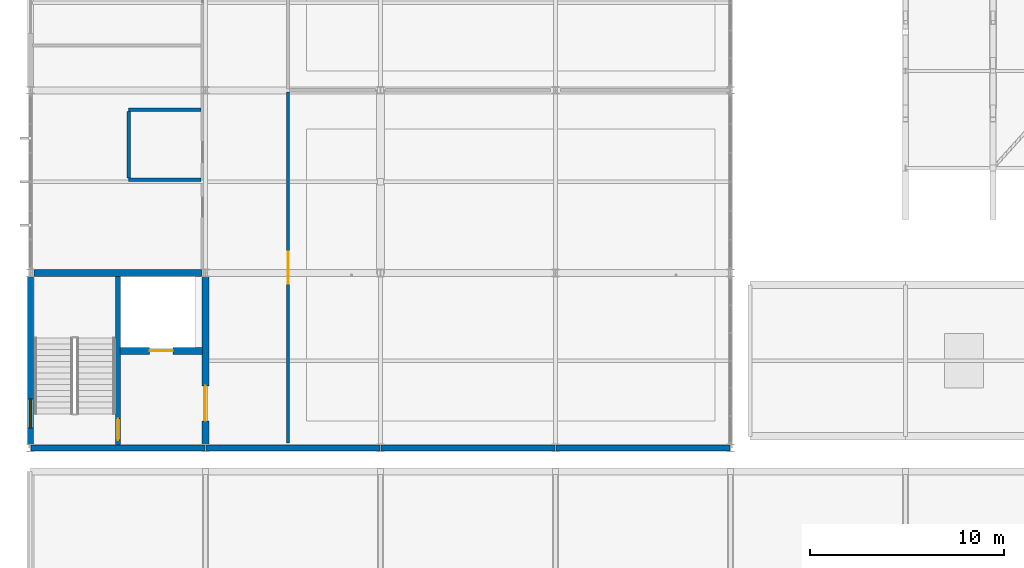
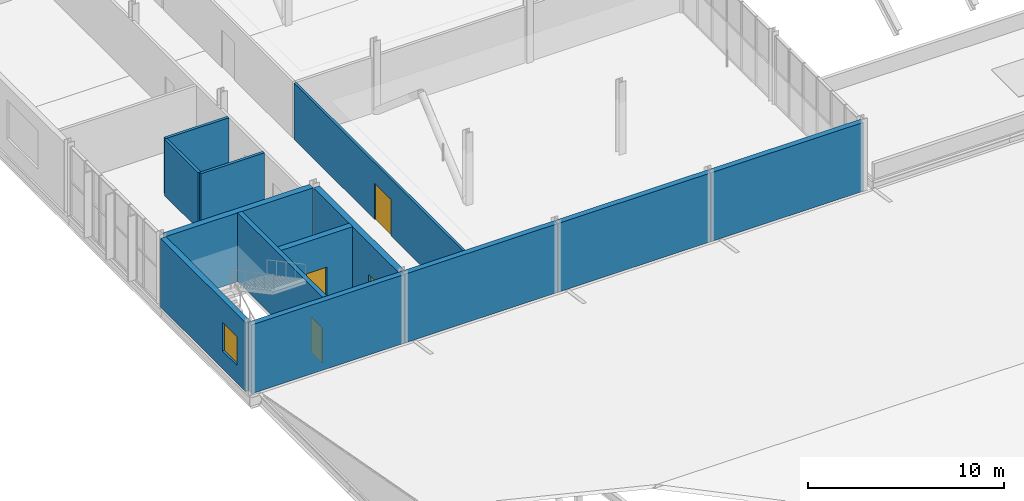
# One storey, part 84 of 103: 13 walls, 4 doors, 1 window, 5 openings.
"""IFC4 building model written with IfcOpenShell, lengths in metres."""

from ifc_helpers import new_model, si_unit, direction, frame, frame_2d, origin, place, context, subcontext, project, spatial, rectangle, extrude, material, layer, layer_set, type_object, element, fill, save


model = new_model("IFC4")

# Units and contexts
model_context = context("Model", 3, precision=1e-05, world=origin(), true_north=direction((0.0, 1.0)))
body_context = subcontext(model_context, "Body", "Model", "MODEL_VIEW")
ifc_project = project(units=[si_unit("LENGTHUNIT", "METRE"), si_unit("AREAUNIT", "SQUARE_METRE"), si_unit("VOLUMEUNIT", "CUBIC_METRE"), si_unit("PLANEANGLEUNIT", "RADIAN"), si_unit("MASSUNIT", "GRAM", prefix="KILO")], contexts=[model_context])

# Site, building, storey
site_placement = place(None, origin())
site = spatial("IfcSite", under=ifc_project, at=site_placement, CompositionType="ELEMENT")
building_placement = place(site_placement, origin())
building = spatial("IfcBuilding", under=site, at=building_placement, Name="Cazmaro Siding Exhibition Halls", CompositionType="ELEMENT")
storey_placement = place(building_placement, frame((0.0, 0.0, 16.5)))
storey = spatial("IfcBuildingStorey", under=building, at=storey_placement, Name="L03", CompositionType="ELEMENT", Elevation=16.5)

# Wall, opening, window
ifc_material_1 = material(Name="Concrete f'c 45 MPa", Category="concrete")
ifc_layer_1 = layer(ifc_material_1, 0.320068359375)
ifc_layer_set_1 = layer_set([ifc_layer_1], Name="Concrete f'c 45 MPa")
wall_type_1 = type_object("IfcWallType", Name="EW-01", PredefinedType="STANDARD", material=ifc_layer_set_1)
wall_1_placement = place(storey_placement, frame((0.0, 54.781982421875, 0.0), z_axis=(0.0, 0.0, 1.0), x_axis=(0.0, 1.0, 0.0)))
wall_1 = element("IfcWall", 1, at=wall_1_placement, inside=storey, type_object=wall_type_1, Name="West Wing Core Street Wall L03 EW-01 WL-E0293", PredefinedType="STANDARD", context=body_context, shape_type="SweptSolid", body=[
    extrude(rectangle(XDim=8.635986328125, YDim=0.320068359375, at=frame_2d((4.31787109375, 0.0))), origin(), (0.0, 0.0, 1.0), 4.280029296875),
])
opening_1_placement = place(wall_1_placement, frame((0.85009765625, 0.0, 1.10009765625)))
opening_1 = element("IfcOpeningElement", 2, at=opening_1_placement, cuts=wall_1, Name="Opening W-096", PredefinedType="OPENING", context=body_context, shape_type="SweptSolid", body=[
    extrude(rectangle(XDim=1.5, YDim=1.800048828125, at=frame_2d((0.75, 0.89990234375))), frame((0.0, 0.169921875, 0.0), z_axis=(0.0, -1.0, 0.0), x_axis=(1.0, 0.0, 0.0)), (0.0, 0.0, 1.0), 0.340087890625),
])
ifc_material_2 = material(Name="Thermally Broken Aluminum Low-E Window Unit", Category="aluminium")
window_type = type_object("IfcWindowType", Name="WT-01", PartitioningType="SINGLE_PANEL", PredefinedType="WINDOW", material=ifc_material_2)
window_placement = place(opening_1_placement, origin())
window = element("IfcWindow", 3, at=window_placement, inside=storey, type_object=window_type, Name="Window W-096 (WT-01)", OverallHeight=1.800048828125, OverallWidth=1.5, PartitioningType="SINGLE_PANEL", PredefinedType="WINDOW", context=body_context, shape_type="SweptSolid", body=[
    extrude(rectangle(XDim=1.5, YDim=1.800048828125, at=frame_2d((0.75, 0.89990234375))), frame((0.0, 0.030029296875, 0.0), z_axis=(0.0, -1.0, 0.0), x_axis=(1.0, 0.0, 0.0)), (0.0, 0.0, 1.0), 0.06005859375),
])
fill(opening_1, window)

# Walls
for number, where, z_axis, x_axis, name in (
    (4, (8.985107421875, 54.60009765625, 0.0), (0.0, 0.0, 1.0), (-1.0, 0.0, 0.0), "West Wing South Seismic Wall L03 EW-01 WL-E0296"),
    (5, (17.985107421875, 54.60009765625, 0.0), (0.0, 0.0, 1.0), (-1.0, 0.0, 0.0), "West Wing South Seismic Wall L03 EW-01 WL-E0297"),
    (6, (26.985107421875, 54.60009765625, 0.0), (0.0, 0.0, 1.0), (-1.0, 0.0, 0.0), "West Wing South Seismic Wall L03 EW-01 WL-E0298"),
    (7, (35.985107421875, 54.60009765625, 0.0), (0.0, 0.0, 1.0), (-1.0, 0.0, 0.0), "West Wing South Seismic Wall L03 EW-01 WL-E0299"),
):
    element("IfcWall", number, at=place(storey_placement, frame(where, z_axis=z_axis, x_axis=x_axis)), inside=storey, type_object=wall_type_1, Name=name, PredefinedType="STANDARD", context=body_context, shape_type="SweptSolid", body=[
        extrude(rectangle(XDim=8.97021484375, YDim=0.320068359375, at=frame_2d((4.485107421875, 0.0))), origin(), (0.0, 0.0, 1.0), 4.280029296875),
    ])

# Wall, opening, door
ifc_material_3 = material(Name="Fire-Rated Gypsum Board on Cold-Formed Steel Studs", Category="steel")
ifc_layer_2 = layer(ifc_material_3, 0.14501953125)
ifc_layer_set_2 = layer_set([ifc_layer_2], Name="Fire-Rated Gypsum Board on Cold-Formed Steel Studs")
wall_type_2 = type_object("IfcWallType", Name="PW-01", PredefinedType="PARTITIONING", material=ifc_layer_set_2)
wall_2_placement = place(storey_placement, frame((13.25, 54.85009765625, 0.0), z_axis=(0.0, 0.0, 1.0), x_axis=(0.0, 1.0, 0.0)))
wall_2 = element("IfcWall", 8, at=wall_2_placement, inside=storey, type_object=wall_type_2, Name="West Wing East Corridor Wall L03 PW-01 WL-I0257", PredefinedType="PARTITIONING", context=body_context, shape_type="SweptSolid", body=[
    extrude(rectangle(XDim=18.06982421875, YDim=0.14501953125, at=frame_2d((9.034912109375, 0.0))), origin(), (0.0, 0.0, 1.0), 3.5),
])
opening_2_placement = place(wall_2_placement, frame((8.2099609375, 0.0, 0.0)))
opening_2 = element("IfcOpeningElement", 9, at=opening_2_placement, cuts=wall_2, Name="Opening D-I121", PredefinedType="OPENING", context=body_context, shape_type="SweptSolid", body=[
    extrude(rectangle(XDim=1.64990234375, YDim=2.25, at=frame_2d((0.824951171875, 1.125))), frame((0.0, 0.08251953125, 0.0), z_axis=(0.0, -1.0, 0.0), x_axis=(1.0, 0.0, 0.0)), (0.0, 0.0, 1.0), 0.1650390625),
])
ifc_material_4 = material(Name="Fire-Rated Painted Hollow Metal Door", Category="steel")
door_type_1 = type_object("IfcDoorType", Name="ID-05", OperationType="DOUBLE_DOOR_SINGLE_SWING", PredefinedType="DOOR", material=ifc_material_4)
door_1_placement = place(opening_2_placement, origin())
door_1 = element("IfcDoor", 10, at=door_1_placement, inside=storey, type_object=door_type_1, Name="Interior door D-I121 (ID-05)", OperationType="DOUBLE_DOOR_SINGLE_SWING", OverallHeight=2.25, OverallWidth=1.64990234375, PredefinedType="DOOR", context=body_context, shape_type="SweptSolid", body=[
    extrude(rectangle(XDim=1.64990234375, YDim=2.25, at=frame_2d((0.824951171875, 1.125))), frame((0.0, 0.02490234375, 0.0), z_axis=(0.0, -1.0, 0.0), x_axis=(1.0, 0.0, 0.0)), (0.0, 0.0, 1.0), 0.050048828125),
])
fill(opening_2, door_1)

# Walls
ifc_material_5 = material(Name="Moisture-Resistant Gypsum Board on Acoustic Steel Studs", Category="steel")
ifc_layer_3 = layer(ifc_material_5, 0.1650390625)
ifc_layer_set_3 = layer_set([ifc_layer_3], Name="Moisture-Resistant Gypsum Board on Acoustic Steel Studs")
wall_type_3 = type_object("IfcWallType", Name="PW-02", PredefinedType="PARTITIONING", material=ifc_layer_set_3)
for number, where, z_axis, x_axis, name in (
    (11, (5.050048828125, 68.39990234375, 0.0), (0.0, 0.0, 1.0), (1.0, 0.0, 0.0), "Accessible WC South Partition L03 PW-02 WL-I0268"),
    (12, (5.050048828125, 72.0, 0.0), (0.0, 0.0, 1.0), (1.0, 0.0, 0.0), "Accessible WC North Partition L03 PW-02 WL-I0269"),
):
    element("IfcWall", number, at=place(storey_placement, frame(where, z_axis=z_axis, x_axis=x_axis)), inside=storey, type_object=wall_type_3, Name=name, PredefinedType="PARTITIONING", context=body_context, shape_type="SweptSolid", body=[
        extrude(rectangle(XDim=3.72998046875, YDim=0.1650390625, at=frame_2d((1.864990234375, 0.0))), origin(), (0.0, 0.0, 1.0), 3.5),
    ])
wall_3_placement = place(storey_placement, frame((5.050048828125, 68.47998046875, 0.0), z_axis=(0.0, 0.0, 1.0), x_axis=(0.0, 1.0, 0.0)))
element("IfcWall", 13, at=wall_3_placement, inside=storey, type_object=wall_type_3, Name="Accessible WC West Partition L03 PW-02 WL-I0270", PredefinedType="PARTITIONING", context=body_context, shape_type="SweptSolid", body=[
    extrude(rectangle(XDim=3.43994140625, YDim=0.1650390625, at=frame_2d((1.719970703125, 0.0))), origin(), (0.0, 0.0, 1.0), 3.5),
])

# Wall, opening, door
ifc_material_6 = material(Name="Concrete f'c 50 MPa", Category="concrete")
ifc_layer_4 = layer(ifc_material_6, 0.360107421875)
ifc_layer_set_4 = layer_set([ifc_layer_4], Name="Concrete f'c 50 MPa")
wall_type_4 = type_object("IfcWallType", Name="SW-01", PredefinedType="SHEAR", material=ifc_layer_set_4)
wall_4_placement = place(storey_placement, frame((9.0, 54.782958984375, 0.0), z_axis=(0.0, 0.0, 1.0), x_axis=(0.0, 1.0, 0.0)))
wall_4 = element("IfcWall", 14, at=wall_4_placement, inside=storey, type_object=wall_type_4, Name="Core C7 East Shear Wall SW-01 WL-I0088", PredefinedType="SHEAR", context=body_context, shape_type="SweptSolid", body=[
    extrude(rectangle(XDim=8.634033203125, YDim=0.360107421875, at=frame_2d((4.31689453125, 0.0))), origin(), (0.0, 0.0, 1.0), 4.280029296875),
])
opening_3_placement = place(wall_4_placement, frame((1.217041015625, 0.0, 0.0)))
opening_3 = element("IfcOpeningElement", 15, at=opening_3_placement, cuts=wall_4, Name="Opening D-I044", PredefinedType="OPENING", context=body_context, shape_type="SweptSolid", body=[
    extrude(rectangle(XDim=1.800048828125, YDim=2.300048828125, at=frame_2d((0.89990234375, 1.14990234375))), frame((0.0, 0.18994140625, 0.0), z_axis=(0.0, -1.0, 0.0), x_axis=(1.0, 0.0, 0.0)), (0.0, 0.0, 1.0), 0.380126953125),
])
ifc_material_7 = material(Name="Fire-Rated Painted Hollow Metal Door", Category="steel")
door_type_2 = type_object("IfcDoorType", Name="ID-02", OperationType="DOUBLE_DOOR_SINGLE_SWING", PredefinedType="DOOR", material=ifc_material_7)
door_2_placement = place(opening_3_placement, origin())
door_2 = element("IfcDoor", 16, at=door_2_placement, inside=storey, type_object=door_type_2, Name="Interior door D-I044 (ID-02)", OperationType="DOUBLE_DOOR_SINGLE_SWING", OverallHeight=2.300048828125, OverallWidth=1.800048828125, PredefinedType="DOOR", context=body_context, shape_type="SweptSolid", body=[
    extrude(rectangle(XDim=1.800048828125, YDim=2.300048828125, at=frame_2d((0.89990234375, 1.14990234375))), frame((0.0, 0.02490234375, 0.0), z_axis=(0.0, -1.0, 0.0), x_axis=(1.0, 0.0, 0.0)), (0.0, 0.0, 1.0), 0.050048828125),
])
fill(opening_3, door_2)

# Wall
wall_5_placement = place(storey_placement, frame((0.19091796875, 63.60009765625, 0.0), z_axis=(0.0, 0.0, 1.0), x_axis=(1.0, 0.0, 0.0)))
element("IfcWall", 17, at=wall_5_placement, inside=storey, type_object=wall_type_4, Name="Core C7 North Shear Wall SW-01 WL-I0089", PredefinedType="SHEAR", context=body_context, shape_type="SweptSolid", body=[
    extrude(rectangle(XDim=8.6181640625, YDim=0.360107421875, at=frame_2d((4.30908203125, 0.0))), origin(), (0.0, 0.0, 1.0), 4.280029296875),
])

# Wall, opening, door
wall_6_placement = place(storey_placement, frame((4.614990234375, 59.60009765625, 0.0), z_axis=(0.0, 0.0, 1.0), x_axis=(1.0, 0.0, 0.0)))
wall_6 = element("IfcWall", 18, at=wall_6_placement, inside=storey, type_object=wall_type_4, Name="Core C7 Lift Shaft Wall SW-01 WL-I0091", PredefinedType="SHEAR", context=body_context, shape_type="SweptSolid", body=[
    extrude(rectangle(XDim=4.219970703125, YDim=0.360107421875, at=frame_2d((2.10986328125, 0.0))), origin(), (0.0, 0.0, 1.0), 4.280029296875),
])
opening_4_placement = place(wall_6_placement, frame((1.510009765625, 0.0, 0.0)))
opening_4 = element("IfcOpeningElement", 19, at=opening_4_placement, cuts=wall_6, Name="Opening LD-022", PredefinedType="OPENING", context=body_context, shape_type="SweptSolid", body=[
    extrude(rectangle(XDim=1.199951171875, YDim=2.300048828125, at=frame_2d((0.60009765625, 1.14990234375))), frame((0.0, 0.18994140625, 0.0), z_axis=(0.0, -1.0, 0.0), x_axis=(1.0, 0.0, 0.0)), (0.0, 0.0, 1.0), 0.380126953125),
])
ifc_material_8 = material(Name="Stainless Steel Elevator Landing Door", Category="steel")
door_type_3 = type_object("IfcDoorType", Name="LD-01", OperationType="SLIDING_TO_LEFT", PredefinedType="DOOR", material=ifc_material_8)
door_3_placement = place(opening_4_placement, origin())
door_3 = element("IfcDoor", 20, at=door_3_placement, inside=storey, type_object=door_type_3, Name="Interior door LD-022 (LD-01)", OperationType="SLIDING_TO_RIGHT", OverallHeight=2.300048828125, OverallWidth=1.199951171875, PredefinedType="DOOR", context=body_context, shape_type="SweptSolid", body=[
    extrude(rectangle(XDim=1.199951171875, YDim=2.300048828125, at=frame_2d((0.60009765625, 1.14990234375))), frame((0.0, 0.02490234375, 0.0), z_axis=(0.0, -1.0, 0.0), x_axis=(1.0, 0.0, 0.0)), (0.0, 0.0, 1.0), 0.050048828125),
])
fill(opening_4, door_3)

ifc_material_9 = material(Name="Concrete f'c 50 MPa", Category="concrete")
ifc_layer_5 = layer(ifc_material_9, 0.25)
ifc_layer_set_5 = layer_set([ifc_layer_5], Name="Concrete f'c 50 MPa")
wall_type_5 = type_object("IfcWallType", Name="SW-02", PredefinedType="SHEAR", material=ifc_layer_set_5)
wall_7_placement = place(storey_placement, frame((4.5, 54.764892578125, 0.0), z_axis=(0.0, 0.0, 1.0), x_axis=(0.0, 1.0, 0.0)))
wall_7 = element("IfcWall", 21, at=wall_7_placement, inside=storey, type_object=wall_type_5, Name="Core C7 Stair-Lobby Divider SW-02 WL-I0090", PredefinedType="SHEAR", context=body_context, shape_type="SweptSolid", body=[
    extrude(rectangle(XDim=8.670166015625, YDim=0.25, at=frame_2d((4.3349609375, 0.0))), origin(), (0.0, 0.0, 1.0), 4.280029296875),
])
opening_5_placement = place(wall_7_placement, frame((0.25, 0.0, 0.0)))
opening_5 = element("IfcOpeningElement", 22, at=opening_5_placement, cuts=wall_7, Name="Opening D-I043", PredefinedType="OPENING", context=body_context, shape_type="SweptSolid", body=[
    extrude(rectangle(XDim=1.10009765625, YDim=2.199951171875, at=frame_2d((0.550048828125, 1.10009765625))), frame((0.0, 0.135009765625, 0.0), z_axis=(0.0, -1.0, 0.0), x_axis=(1.0, 0.0, 0.0)), (0.0, 0.0, 1.0), 0.27001953125),
])
ifc_material_10 = material(Name="Fire-Rated Painted Hollow Metal Door", Category="steel")
door_type_4 = type_object("IfcDoorType", Name="ID-01", OperationType="NOTDEFINED", PredefinedType="DOOR", material=ifc_material_10)
door_4_placement = place(opening_5_placement, origin())
door_4 = element("IfcDoor", 23, at=door_4_placement, inside=storey, type_object=door_type_4, Name="Interior door D-I043 (ID-01)", OperationType="SINGLE_SWING_RIGHT", OverallHeight=2.199951171875, OverallWidth=1.10009765625, PredefinedType="DOOR", context=body_context, shape_type="SweptSolid", body=[
    extrude(rectangle(XDim=1.10009765625, YDim=2.199951171875, at=frame_2d((0.550048828125, 1.10009765625))), frame((0.0, 0.02490234375, 0.0), z_axis=(0.0, -1.0, 0.0), x_axis=(1.0, 0.0, 0.0)), (0.0, 0.0, 1.0), 0.050048828125),
])
fill(opening_5, door_4)

save(model, "model.ifc")
